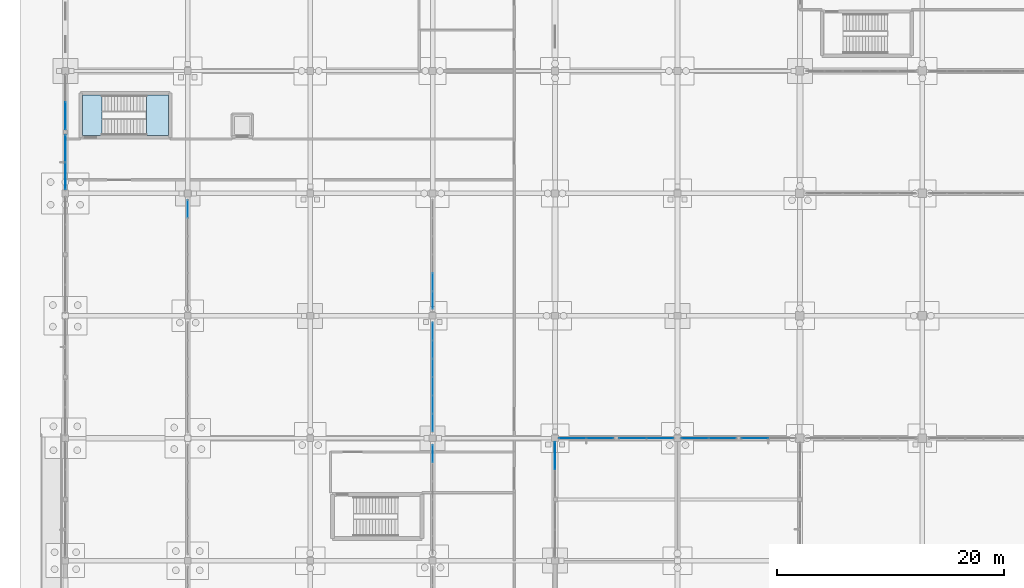
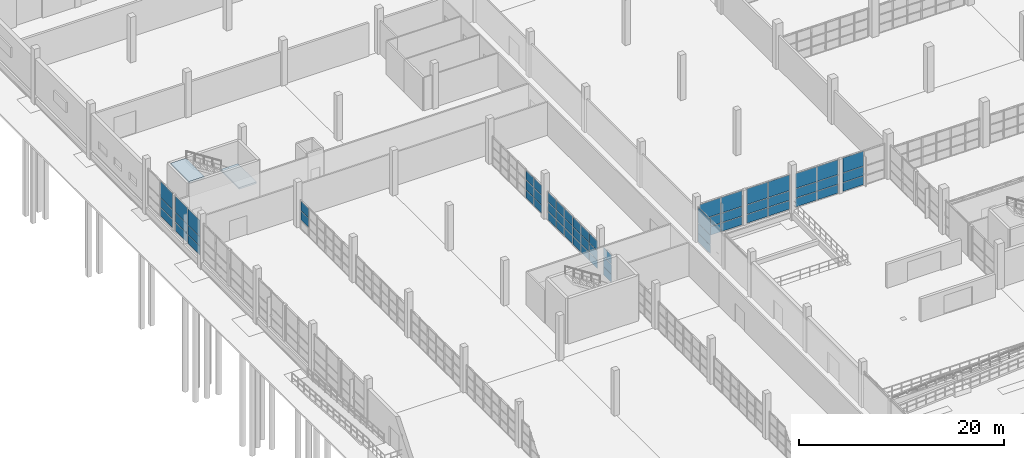
# One storey, part 88 of 138: 62 plates, 2 slabs, 12 elements without a shape of their own.
"""IFC4 building model written with IfcOpenShell, lengths in metres."""

from ifc_helpers import new_model, si_unit, direction, frame, origin, origin_2d, place, context, subcontext, project, spatial, polyline, rectangle, outline, extrude, material, layer, layer_set, type_object, element, aggregate, save


model = new_model("IFC4")

# Units and contexts
model_context = context("Model", 3, precision=1e-05, world=origin(), true_north=direction((0.0, 1.0)))
body_context = subcontext(model_context, "Body", "Model", "MODEL_VIEW")
ifc_project = project(units=[si_unit("LENGTHUNIT", "METRE"), si_unit("AREAUNIT", "SQUARE_METRE"), si_unit("VOLUMEUNIT", "CUBIC_METRE"), si_unit("PLANEANGLEUNIT", "RADIAN"), si_unit("MASSUNIT", "GRAM", prefix="KILO")], contexts=[model_context])

# Site, building, storey
site_placement = place(None, origin())
site = spatial("IfcSite", under=ifc_project, at=site_placement, CompositionType="ELEMENT")
building_placement = place(site_placement, origin())
building = spatial("IfcBuilding", under=site, at=building_placement, Name="Zwinboog Wholesale Market", CompositionType="ELEMENT")
storey_placement = place(building_placement, origin())
storey = spatial("IfcBuildingStorey", under=building, at=storey_placement, Name="L00", CompositionType="ELEMENT", Elevation=0.0)

# Curtain wall, plates
ifc_material_1 = material(Name="Aluminium thermally broken curtain wall", Category="aluminium")
curtain_wall_type_1 = type_object("IfcCurtainWallType", Name="CWT-HALL-24", PredefinedType="USERDEFINED", material=ifc_material_1)
curtain_wall_1_placement = place(storey_placement, origin())
curtain_wall_1 = element("IfcCurtainWall", 1, at=curtain_wall_1_placement, inside=storey, type_object=curtain_wall_type_1, Name="CW-03 (CW-L00-015)", ObjectType="UNITIZED_CURTAIN_WALL", PredefinedType="USERDEFINED")
ifc_material_2 = material(Name="Double low-e insulated glazing", Category="glass")
ifc_layer_1 = layer(ifc_material_2, 0.031982421875)
ifc_layer_set_1 = layer_set([ifc_layer_1], Name="Double low-e insulated glazing")
plate_type_1 = type_object("IfcPlateType", Name="CWP-IGU-32", PredefinedType="CURTAIN_PANEL", material=ifc_layer_set_1)
plate_1_placement = place(storey_placement, frame((0.0, 87.9375, 0.06494140625), z_axis=(0.0, 0.0, 1.0), x_axis=(0.0, 1.0, 0.0)))
plate_1 = element("IfcPlate", 2, at=plate_1_placement, type_object=plate_type_1, Name="CW-03 panel 1.1", PredefinedType="CURTAIN_PANEL", context=body_context, shape_type="SweptSolid", body=[
    extrude(rectangle(XDim=2.35498046875, YDim=0.031982421875, at=origin_2d()), origin(), (0.0, 0.0, 1.0), 1.00244140625),
])
plate_2_placement = place(storey_placement, frame((0.0, 87.9375, 1.132568359375), z_axis=(0.0, 0.0, 1.0), x_axis=(0.0, 1.0, 0.0)))
plate_2 = element("IfcPlate", 3, at=plate_2_placement, type_object=plate_type_1, Name="CW-03 panel 1.2", PredefinedType="CURTAIN_PANEL", context=body_context, shape_type="SweptSolid", body=[
    extrude(rectangle(XDim=2.35498046875, YDim=0.031982421875, at=origin_2d()), origin(), (0.0, 0.0, 1.0), 1.0849609375),
])
plate_3_placement = place(storey_placement, frame((0.0, 87.9375, 2.2822265625), z_axis=(0.0, 0.0, 1.0), x_axis=(0.0, 1.0, 0.0)))
plate_3 = element("IfcPlate", 4, at=plate_3_placement, type_object=plate_type_1, Name="CW-03 panel 1.3", PredefinedType="CURTAIN_PANEL", context=body_context, shape_type="SweptSolid", body=[
    extrude(rectangle(XDim=2.35498046875, YDim=0.031982421875, at=origin_2d()), origin(), (0.0, 0.0, 1.0), 1.902587890625),
])
plate_4_placement = place(storey_placement, frame((0.0, 90.357421875, 0.06494140625), z_axis=(0.0, 0.0, 1.0), x_axis=(0.0, 1.0, 0.0)))
plate_4 = element("IfcPlate", 5, at=plate_4_placement, type_object=plate_type_1, Name="CW-03 panel 2.1", PredefinedType="CURTAIN_PANEL", context=body_context, shape_type="SweptSolid", body=[
    extrude(rectangle(XDim=2.35498046875, YDim=0.031982421875, at=origin_2d()), origin(), (0.0, 0.0, 1.0), 1.00244140625),
])
plate_5_placement = place(storey_placement, frame((0.0, 90.357421875, 1.132568359375), z_axis=(0.0, 0.0, 1.0), x_axis=(0.0, 1.0, 0.0)))
plate_5 = element("IfcPlate", 6, at=plate_5_placement, type_object=plate_type_1, Name="CW-03 panel 2.2", PredefinedType="CURTAIN_PANEL", context=body_context, shape_type="SweptSolid", body=[
    extrude(rectangle(XDim=2.35498046875, YDim=0.031982421875, at=origin_2d()), origin(), (0.0, 0.0, 1.0), 1.0849609375),
])
plate_6_placement = place(storey_placement, frame((0.0, 90.357421875, 2.2822265625), z_axis=(0.0, 0.0, 1.0), x_axis=(0.0, 1.0, 0.0)))
plate_6 = element("IfcPlate", 7, at=plate_6_placement, type_object=plate_type_1, Name="CW-03 panel 2.3", PredefinedType="CURTAIN_PANEL", context=body_context, shape_type="SweptSolid", body=[
    extrude(rectangle(XDim=2.35498046875, YDim=0.031982421875, at=origin_2d()), origin(), (0.0, 0.0, 1.0), 1.902587890625),
])
aggregate(curtain_wall_1, [plate_1, plate_2, plate_3, plate_4, plate_5, plate_6])

curtain_wall_type_2 = type_object("IfcCurtainWallType", Name="CWT-GAL-16", PredefinedType="USERDEFINED", material=ifc_material_1)
curtain_wall_2_placement = place(storey_placement, origin())
curtain_wall_2 = element("IfcCurtainWall", 8, at=curtain_wall_2_placement, inside=storey, type_object=curtain_wall_type_2, Name="CW-04 (CW-L00-016)", ObjectType="UNITIZED_CURTAIN_WALL", PredefinedType="USERDEFINED")
plate_7_placement = place(storey_placement, frame((0.0, 93.2412109375, 0.06005859375), z_axis=(0.0, 0.0, 1.0), x_axis=(0.0, 1.0, 0.0)))
plate_7 = element("IfcPlate", 9, at=plate_7_placement, type_object=plate_type_1, Name="CW-04 panel 1.1", PredefinedType="CURTAIN_PANEL", context=body_context, shape_type="SweptSolid", body=[
    extrude(rectangle(XDim=2.362548828125, YDim=0.031982421875, at=origin_2d()), origin(), (0.0, 0.0, 1.0), 1.010009765625),
])
plate_8_placement = place(storey_placement, frame((0.0, 93.2412109375, 1.1298828125), z_axis=(0.0, 0.0, 1.0), x_axis=(0.0, 1.0, 0.0)))
plate_8 = element("IfcPlate", 10, at=plate_8_placement, type_object=plate_type_1, Name="CW-04 panel 1.2", PredefinedType="CURTAIN_PANEL", context=body_context, shape_type="SweptSolid", body=[
    extrude(rectangle(XDim=2.362548828125, YDim=0.031982421875, at=origin_2d()), origin(), (0.0, 0.0, 1.0), 1.090087890625),
])
plate_9_placement = place(storey_placement, frame((0.0, 93.2412109375, 2.2802734375), z_axis=(0.0, 0.0, 1.0), x_axis=(0.0, 1.0, 0.0)))
plate_9 = element("IfcPlate", 11, at=plate_9_placement, type_object=plate_type_1, Name="CW-04 panel 1.3", PredefinedType="CURTAIN_PANEL", context=body_context, shape_type="SweptSolid", body=[
    extrude(rectangle(XDim=2.362548828125, YDim=0.031982421875, at=origin_2d()), origin(), (0.0, 0.0, 1.0), 1.909912109375),
])
aggregate(curtain_wall_2, [plate_7, plate_8, plate_9])

curtain_wall_type_3 = type_object("IfcCurtainWallType", Name="CWT-STALL-20", PredefinedType="USERDEFINED", material=ifc_material_1)
curtain_wall_3_placement = place(storey_placement, origin())
curtain_wall_3 = element("IfcCurtainWall", 12, at=curtain_wall_3_placement, inside=storey, type_object=curtain_wall_type_3, Name="CW-02 (CW-L00-026)", ObjectType="STOREFRONT_GLAZING", PredefinedType="USERDEFINED")
plate_10_placement = place(storey_placement, frame((43.199951171875, 63.263671875, 0.06005859375), z_axis=(0.0, 0.0, 1.0), x_axis=(0.0, 1.0, 0.0)))
plate_10 = element("IfcPlate", 13, at=plate_10_placement, type_object=plate_type_1, Name="CW-02 panel 2.1", PredefinedType="CURTAIN_PANEL", context=body_context, shape_type="SweptSolid", body=[
    extrude(rectangle(XDim=2.362548828125, YDim=0.031982421875, at=origin_2d()), origin(), (0.0, 0.0, 1.0), 1.010009765625),
])
plate_11_placement = place(storey_placement, frame((43.199951171875, 63.263671875, 1.1298828125), z_axis=(0.0, 0.0, 1.0), x_axis=(0.0, 1.0, 0.0)))
plate_11 = element("IfcPlate", 14, at=plate_11_placement, type_object=plate_type_1, Name="CW-02 panel 2.2", PredefinedType="CURTAIN_PANEL", context=body_context, shape_type="SweptSolid", body=[
    extrude(rectangle(XDim=2.362548828125, YDim=0.031982421875, at=origin_2d()), origin(), (0.0, 0.0, 1.0), 1.090087890625),
])
plate_12_placement = place(storey_placement, frame((43.199951171875, 63.263671875, 2.280029296875), z_axis=(0.0, 0.0, 1.0), x_axis=(0.0, 1.0, 0.0)))
plate_12 = element("IfcPlate", 15, at=plate_12_placement, type_object=plate_type_1, Name="CW-02 panel 2.3", PredefinedType="CURTAIN_PANEL", context=body_context, shape_type="SweptSolid", body=[
    extrude(rectangle(XDim=2.362548828125, YDim=0.031982421875, at=origin_2d()), origin(), (0.0, 0.0, 1.0), 1.85791015625),
])
aggregate(curtain_wall_3, [plate_10, plate_11, plate_12])

curtain_wall_4_placement = place(storey_placement, origin())
curtain_wall_4 = element("IfcCurtainWall", 16, at=curtain_wall_4_placement, inside=storey, type_object=curtain_wall_type_1, Name="CW-03 (CW-L00-027)", ObjectType="UNITIZED_CURTAIN_WALL", PredefinedType="USERDEFINED")
plate_13_placement = place(storey_placement, frame((44.737548828125, 64.800048828125, 0.06494140625), z_axis=(0.0, 0.0, 1.0), x_axis=(1.0, 0.0, 0.0)))
plate_13 = element("IfcPlate", 17, at=plate_13_placement, type_object=plate_type_1, Name="CW-03 panel 1.1", PredefinedType="CURTAIN_PANEL", context=body_context, shape_type="SweptSolid", body=[
    extrude(rectangle(XDim=2.35498046875, YDim=0.031982421875, at=origin_2d()), origin(), (0.0, 0.0, 1.0), 1.00244140625),
])
plate_14_placement = place(storey_placement, frame((44.737548828125, 64.800048828125, 1.132568359375), z_axis=(0.0, 0.0, 1.0), x_axis=(1.0, 0.0, 0.0)))
plate_14 = element("IfcPlate", 18, at=plate_14_placement, type_object=plate_type_1, Name="CW-03 panel 1.2", PredefinedType="CURTAIN_PANEL", context=body_context, shape_type="SweptSolid", body=[
    extrude(rectangle(XDim=2.35498046875, YDim=0.031982421875, at=origin_2d()), origin(), (0.0, 0.0, 1.0), 1.0849609375),
])
plate_15_placement = place(storey_placement, frame((44.737548828125, 64.800048828125, 2.282470703125), z_axis=(0.0, 0.0, 1.0), x_axis=(1.0, 0.0, 0.0)))
plate_15 = element("IfcPlate", 19, at=plate_15_placement, type_object=plate_type_1, Name="CW-03 panel 1.3", PredefinedType="CURTAIN_PANEL", context=body_context, shape_type="SweptSolid", body=[
    extrude(rectangle(XDim=2.35498046875, YDim=0.031982421875, at=origin_2d()), origin(), (0.0, 0.0, 1.0), 1.8505859375),
])
plate_16_placement = place(storey_placement, frame((47.157470703125, 64.800048828125, 0.06494140625), z_axis=(0.0, 0.0, 1.0), x_axis=(1.0, 0.0, 0.0)))
plate_16 = element("IfcPlate", 20, at=plate_16_placement, type_object=plate_type_1, Name="CW-03 panel 2.1", PredefinedType="CURTAIN_PANEL", context=body_context, shape_type="SweptSolid", body=[
    extrude(rectangle(XDim=2.35498046875, YDim=0.031982421875, at=origin_2d()), origin(), (0.0, 0.0, 1.0), 1.00244140625),
])
plate_17_placement = place(storey_placement, frame((47.157470703125, 64.800048828125, 1.132568359375), z_axis=(0.0, 0.0, 1.0), x_axis=(1.0, 0.0, 0.0)))
plate_17 = element("IfcPlate", 21, at=plate_17_placement, type_object=plate_type_1, Name="CW-03 panel 2.2", PredefinedType="CURTAIN_PANEL", context=body_context, shape_type="SweptSolid", body=[
    extrude(rectangle(XDim=2.35498046875, YDim=0.031982421875, at=origin_2d()), origin(), (0.0, 0.0, 1.0), 1.0849609375),
])
plate_18_placement = place(storey_placement, frame((47.157470703125, 64.800048828125, 2.282470703125), z_axis=(0.0, 0.0, 1.0), x_axis=(1.0, 0.0, 0.0)))
plate_18 = element("IfcPlate", 22, at=plate_18_placement, type_object=plate_type_1, Name="CW-03 panel 2.3", PredefinedType="CURTAIN_PANEL", context=body_context, shape_type="SweptSolid", body=[
    extrude(rectangle(XDim=2.35498046875, YDim=0.031982421875, at=origin_2d()), origin(), (0.0, 0.0, 1.0), 1.8505859375),
])
aggregate(curtain_wall_4, [plate_13, plate_14, plate_15, plate_16, plate_17, plate_18])

curtain_wall_5_placement = place(storey_placement, origin())
curtain_wall_5 = element("IfcCurtainWall", 23, at=curtain_wall_5_placement, inside=storey, type_object=curtain_wall_type_2, Name="CW-04 (CW-L00-028)", ObjectType="UNITIZED_CURTAIN_WALL", PredefinedType="USERDEFINED")
plate_19_placement = place(storey_placement, frame((50.041259765625, 64.800048828125, 0.06005859375), z_axis=(0.0, 0.0, 1.0), x_axis=(1.0, 0.0, 0.0)))
plate_19 = element("IfcPlate", 24, at=plate_19_placement, type_object=plate_type_1, Name="CW-04 panel 1.1", PredefinedType="CURTAIN_PANEL", context=body_context, shape_type="SweptSolid", body=[
    extrude(rectangle(XDim=2.362548828125, YDim=0.031982421875, at=origin_2d()), origin(), (0.0, 0.0, 1.0), 1.010009765625),
])
plate_20_placement = place(storey_placement, frame((50.041259765625, 64.800048828125, 1.1298828125), z_axis=(0.0, 0.0, 1.0), x_axis=(1.0, 0.0, 0.0)))
plate_20 = element("IfcPlate", 25, at=plate_20_placement, type_object=plate_type_1, Name="CW-04 panel 1.2", PredefinedType="CURTAIN_PANEL", context=body_context, shape_type="SweptSolid", body=[
    extrude(rectangle(XDim=2.362548828125, YDim=0.031982421875, at=origin_2d()), origin(), (0.0, 0.0, 1.0), 1.090087890625),
])
plate_21_placement = place(storey_placement, frame((50.041259765625, 64.800048828125, 2.280029296875), z_axis=(0.0, 0.0, 1.0), x_axis=(1.0, 0.0, 0.0)))
plate_21 = element("IfcPlate", 26, at=plate_21_placement, type_object=plate_type_1, Name="CW-04 panel 1.3", PredefinedType="CURTAIN_PANEL", context=body_context, shape_type="SweptSolid", body=[
    extrude(rectangle(XDim=2.362548828125, YDim=0.031982421875, at=origin_2d()), origin(), (0.0, 0.0, 1.0), 1.85791015625),
])
plate_22_placement = place(storey_placement, frame((52.4638671875, 64.800048828125, 0.06005859375), z_axis=(0.0, 0.0, 1.0), x_axis=(1.0, 0.0, 0.0)))
plate_22 = element("IfcPlate", 27, at=plate_22_placement, type_object=plate_type_1, Name="CW-04 panel 2.1", PredefinedType="CURTAIN_PANEL", context=body_context, shape_type="SweptSolid", body=[
    extrude(rectangle(XDim=2.362548828125, YDim=0.031982421875, at=origin_2d()), origin(), (0.0, 0.0, 1.0), 1.010009765625),
])
plate_23_placement = place(storey_placement, frame((52.4638671875, 64.800048828125, 1.1298828125), z_axis=(0.0, 0.0, 1.0), x_axis=(1.0, 0.0, 0.0)))
plate_23 = element("IfcPlate", 28, at=plate_23_placement, type_object=plate_type_1, Name="CW-04 panel 2.2", PredefinedType="CURTAIN_PANEL", context=body_context, shape_type="SweptSolid", body=[
    extrude(rectangle(XDim=2.362548828125, YDim=0.031982421875, at=origin_2d()), origin(), (0.0, 0.0, 1.0), 1.090087890625),
])
plate_24_placement = place(storey_placement, frame((52.4638671875, 64.800048828125, 2.280029296875), z_axis=(0.0, 0.0, 1.0), x_axis=(1.0, 0.0, 0.0)))
plate_24 = element("IfcPlate", 29, at=plate_24_placement, type_object=plate_type_1, Name="CW-04 panel 2.3", PredefinedType="CURTAIN_PANEL", context=body_context, shape_type="SweptSolid", body=[
    extrude(rectangle(XDim=2.362548828125, YDim=0.031982421875, at=origin_2d()), origin(), (0.0, 0.0, 1.0), 1.85791015625),
])
aggregate(curtain_wall_5, [plate_19, plate_20, plate_21, plate_22, plate_23, plate_24])

curtain_wall_type_4 = type_object("IfcCurtainWallType", Name="CWT-CAFE-22", PredefinedType="USERDEFINED", material=ifc_material_1)
curtain_wall_6_placement = place(storey_placement, origin())
curtain_wall_6 = element("IfcCurtainWall", 30, at=curtain_wall_6_placement, inside=storey, type_object=curtain_wall_type_4, Name="CW-05 (CW-L00-029)", ObjectType="STOREFRONT_GLAZING", PredefinedType="USERDEFINED")
plate_25_placement = place(storey_placement, frame((55.53759765625, 64.800048828125, 0.06494140625), z_axis=(0.0, 0.0, 1.0), x_axis=(1.0, 0.0, 0.0)))
plate_25 = element("IfcPlate", 31, at=plate_25_placement, type_object=plate_type_1, Name="CW-05 panel 1.1", PredefinedType="CURTAIN_PANEL", context=body_context, shape_type="SweptSolid", body=[
    extrude(rectangle(XDim=2.35498046875, YDim=0.031982421875, at=origin_2d()), origin(), (0.0, 0.0, 1.0), 1.00244140625),
])
plate_26_placement = place(storey_placement, frame((55.53759765625, 64.800048828125, 1.132568359375), z_axis=(0.0, 0.0, 1.0), x_axis=(1.0, 0.0, 0.0)))
plate_26 = element("IfcPlate", 32, at=plate_26_placement, type_object=plate_type_1, Name="CW-05 panel 1.2", PredefinedType="CURTAIN_PANEL", context=body_context, shape_type="SweptSolid", body=[
    extrude(rectangle(XDim=2.35498046875, YDim=0.031982421875, at=origin_2d()), origin(), (0.0, 0.0, 1.0), 1.0849609375),
])
plate_27_placement = place(storey_placement, frame((55.53759765625, 64.800048828125, 2.282470703125), z_axis=(0.0, 0.0, 1.0), x_axis=(1.0, 0.0, 0.0)))
plate_27 = element("IfcPlate", 33, at=plate_27_placement, type_object=plate_type_1, Name="CW-05 panel 1.3", PredefinedType="CURTAIN_PANEL", context=body_context, shape_type="SweptSolid", body=[
    extrude(rectangle(XDim=2.35498046875, YDim=0.031982421875, at=origin_2d()), origin(), (0.0, 0.0, 1.0), 1.75048828125),
])
plate_28_placement = place(storey_placement, frame((57.95751953125, 64.800048828125, 0.06494140625), z_axis=(0.0, 0.0, 1.0), x_axis=(1.0, 0.0, 0.0)))
plate_28 = element("IfcPlate", 34, at=plate_28_placement, type_object=plate_type_1, Name="CW-05 panel 2.1", PredefinedType="CURTAIN_PANEL", context=body_context, shape_type="SweptSolid", body=[
    extrude(rectangle(XDim=2.35498046875, YDim=0.031982421875, at=origin_2d()), origin(), (0.0, 0.0, 1.0), 1.00244140625),
])
plate_29_placement = place(storey_placement, frame((57.95751953125, 64.800048828125, 1.132568359375), z_axis=(0.0, 0.0, 1.0), x_axis=(1.0, 0.0, 0.0)))
plate_29 = element("IfcPlate", 35, at=plate_29_placement, type_object=plate_type_1, Name="CW-05 panel 2.2", PredefinedType="CURTAIN_PANEL", context=body_context, shape_type="SweptSolid", body=[
    extrude(rectangle(XDim=2.35498046875, YDim=0.031982421875, at=origin_2d()), origin(), (0.0, 0.0, 1.0), 1.0849609375),
])
plate_30_placement = place(storey_placement, frame((57.95751953125, 64.800048828125, 2.282470703125), z_axis=(0.0, 0.0, 1.0), x_axis=(1.0, 0.0, 0.0)))
plate_30 = element("IfcPlate", 36, at=plate_30_placement, type_object=plate_type_1, Name="CW-05 panel 2.3", PredefinedType="CURTAIN_PANEL", context=body_context, shape_type="SweptSolid", body=[
    extrude(rectangle(XDim=2.35498046875, YDim=0.031982421875, at=origin_2d()), origin(), (0.0, 0.0, 1.0), 1.75048828125),
])
aggregate(curtain_wall_6, [plate_25, plate_26, plate_27, plate_28, plate_29, plate_30])

curtain_wall_type_5 = type_object("IfcCurtainWallType", Name="CWT-OFF-15", PredefinedType="USERDEFINED", material=ifc_material_1)
curtain_wall_7_placement = place(storey_placement, origin())
curtain_wall_7 = element("IfcCurtainWall", 37, at=curtain_wall_7_placement, inside=storey, type_object=curtain_wall_type_5, Name="CW-06 (CW-L00-030)", ObjectType="UNITIZED_CURTAIN_WALL", PredefinedType="USERDEFINED")
plate_31_placement = place(storey_placement, frame((60.822509765625, 64.800048828125, 0.06005859375), z_axis=(0.0, 0.0, 1.0), x_axis=(1.0, 0.0, 0.0)))
plate_31 = element("IfcPlate", 38, at=plate_31_placement, type_object=plate_type_1, Name="CW-06 panel 1.1", PredefinedType="CURTAIN_PANEL", context=body_context, shape_type="SweptSolid", body=[
    extrude(rectangle(XDim=2.324951171875, YDim=0.031982421875, at=origin_2d()), origin(), (0.0, 0.0, 1.0), 1.010009765625),
])
plate_32_placement = place(storey_placement, frame((60.822509765625, 64.800048828125, 1.1298828125), z_axis=(0.0, 0.0, 1.0), x_axis=(1.0, 0.0, 0.0)))
plate_32 = element("IfcPlate", 39, at=plate_32_placement, type_object=plate_type_1, Name="CW-06 panel 1.2", PredefinedType="CURTAIN_PANEL", context=body_context, shape_type="SweptSolid", body=[
    extrude(rectangle(XDim=2.324951171875, YDim=0.031982421875, at=origin_2d()), origin(), (0.0, 0.0, 1.0), 1.090087890625),
])
plate_33_placement = place(storey_placement, frame((60.822509765625, 64.800048828125, 2.27978515625), z_axis=(0.0, 0.0, 1.0), x_axis=(1.0, 0.0, 0.0)))
plate_33 = element("IfcPlate", 40, at=plate_33_placement, type_object=plate_type_1, Name="CW-06 panel 1.3", PredefinedType="CURTAIN_PANEL", context=body_context, shape_type="SweptSolid", body=[
    extrude(rectangle(XDim=2.324951171875, YDim=0.031982421875, at=origin_2d()), origin(), (0.0, 0.0, 1.0), 1.758056640625),
])
aggregate(curtain_wall_7, [plate_31, plate_32, plate_33])

curtain_wall_type_6 = type_object("IfcCurtainWallType", Name="CWT-INT-STALL", PredefinedType="USERDEFINED", material=ifc_material_1)
curtain_wall_8_placement = place(storey_placement, origin())
curtain_wall_8 = element("IfcCurtainWall", 41, at=curtain_wall_8_placement, inside=storey, type_object=curtain_wall_type_6, Name="CW-07 (CW-STL-216)", ObjectType="STOREFRONT_GLAZING", PredefinedType="USERDEFINED")
ifc_material_3 = material(Name="Tempered laminated market stall glazing", Category="glass")
ifc_layer_2 = layer(ifc_material_3, 0.01611328125)
ifc_layer_set_2 = layer_set([ifc_layer_2], Name="Tempered laminated market stall glazing")
plate_type_2 = type_object("IfcPlateType", Name="CWP-INT-16", PredefinedType="CURTAIN_PANEL", material=ifc_layer_set_2)
plate_34_placement = place(storey_placement, frame((10.800048828125, 85.026611328125, 1.080078125), z_axis=(0.0, 0.0, 1.0), x_axis=(0.0, 1.0, 0.0)))
plate_34 = element("IfcPlate", 42, at=plate_34_placement, type_object=plate_type_2, Name="CW-07 panel 6.2", PredefinedType="CURTAIN_PANEL", context=body_context, shape_type="SweptSolid", body=[
    extrude(rectangle(XDim=1.526611328125, YDim=0.01611328125, at=origin_2d()), origin(), (0.0, 0.0, 1.0), 1.090087890625),
])
plate_35_placement = place(storey_placement, frame((10.800048828125, 85.026611328125, 2.22998046875), z_axis=(0.0, 0.0, 1.0), x_axis=(0.0, 1.0, 0.0)))
plate_35 = element("IfcPlate", 43, at=plate_35_placement, type_object=plate_type_2, Name="CW-07 panel 6.3", PredefinedType="CURTAIN_PANEL", context=body_context, shape_type="SweptSolid", body=[
    extrude(rectangle(XDim=1.526611328125, YDim=0.01611328125, at=origin_2d()), origin(), (0.0, 0.0, 1.0), 1.110107421875),
])
aggregate(curtain_wall_8, [plate_34, plate_35])

curtain_wall_9_placement = place(storey_placement, origin())
curtain_wall_9 = element("IfcCurtainWall", 44, at=curtain_wall_9_placement, inside=storey, type_object=curtain_wall_type_6, Name="CW-07 (CW-STL-222)", ObjectType="STOREFRONT_GLAZING", PredefinedType="USERDEFINED")
plate_36_placement = place(storey_placement, frame((32.39990234375, 63.4267578125, 0.06005859375), z_axis=(0.0, 0.0, 1.0), x_axis=(0.0, 1.0, 0.0)))
plate_36 = element("IfcPlate", 45, at=plate_36_placement, type_object=plate_type_2, Name="CW-07 panel 6.1", PredefinedType="CURTAIN_PANEL", context=body_context, shape_type="SweptSolid", body=[
    extrude(rectangle(XDim=1.526611328125, YDim=0.01611328125, at=origin_2d()), origin(), (0.0, 0.0, 1.0), 0.9599609375),
])
plate_37_placement = place(storey_placement, frame((32.39990234375, 63.4267578125, 1.080078125), z_axis=(0.0, 0.0, 1.0), x_axis=(0.0, 1.0, 0.0)))
plate_37 = element("IfcPlate", 46, at=plate_37_placement, type_object=plate_type_2, Name="CW-07 panel 6.2", PredefinedType="CURTAIN_PANEL", context=body_context, shape_type="SweptSolid", body=[
    extrude(rectangle(XDim=1.526611328125, YDim=0.01611328125, at=origin_2d()), origin(), (0.0, 0.0, 1.0), 1.090087890625),
])
plate_38_placement = place(storey_placement, frame((32.39990234375, 63.4267578125, 2.22998046875), z_axis=(0.0, 0.0, 1.0), x_axis=(0.0, 1.0, 0.0)))
plate_38 = element("IfcPlate", 47, at=plate_38_placement, type_object=plate_type_2, Name="CW-07 panel 6.3", PredefinedType="CURTAIN_PANEL", context=body_context, shape_type="SweptSolid", body=[
    extrude(rectangle(XDim=1.526611328125, YDim=0.01611328125, at=origin_2d()), origin(), (0.0, 0.0, 1.0), 1.110107421875),
])
aggregate(curtain_wall_9, [plate_36, plate_37, plate_38])

curtain_wall_10_placement = place(storey_placement, origin())
curtain_wall_10 = element("IfcCurtainWall", 48, at=curtain_wall_10_placement, inside=storey, type_object=curtain_wall_type_6, Name="CW-07 (CW-STL-223)", ObjectType="STOREFRONT_GLAZING", PredefinedType="USERDEFINED")
plate_39_placement = place(storey_placement, frame((32.39990234375, 66.17333984375, 0.06005859375), z_axis=(0.0, 0.0, 1.0), x_axis=(0.0, 1.0, 0.0)))
plate_39 = element("IfcPlate", 49, at=plate_39_placement, type_object=plate_type_2, Name="CW-07 panel 1.1", PredefinedType="CURTAIN_PANEL", context=body_context, shape_type="SweptSolid", body=[
    extrude(rectangle(XDim=1.526611328125, YDim=0.01611328125, at=origin_2d()), origin(), (0.0, 0.0, 1.0), 0.9599609375),
])
plate_40_placement = place(storey_placement, frame((32.39990234375, 66.17333984375, 1.080078125), z_axis=(0.0, 0.0, 1.0), x_axis=(0.0, 1.0, 0.0)))
plate_40 = element("IfcPlate", 50, at=plate_40_placement, type_object=plate_type_2, Name="CW-07 panel 1.2", PredefinedType="CURTAIN_PANEL", context=body_context, shape_type="SweptSolid", body=[
    extrude(rectangle(XDim=1.526611328125, YDim=0.01611328125, at=origin_2d()), origin(), (0.0, 0.0, 1.0), 1.090087890625),
])
plate_41_placement = place(storey_placement, frame((32.39990234375, 66.17333984375, 2.22998046875), z_axis=(0.0, 0.0, 1.0), x_axis=(0.0, 1.0, 0.0)))
plate_41 = element("IfcPlate", 51, at=plate_41_placement, type_object=plate_type_2, Name="CW-07 panel 1.3", PredefinedType="CURTAIN_PANEL", context=body_context, shape_type="SweptSolid", body=[
    extrude(rectangle(XDim=1.526611328125, YDim=0.01611328125, at=origin_2d()), origin(), (0.0, 0.0, 1.0), 1.110107421875),
])
plate_42_placement = place(storey_placement, frame((32.39990234375, 67.77490234375, 0.06005859375), z_axis=(0.0, 0.0, 1.0), x_axis=(0.0, 1.0, 0.0)))
plate_42 = element("IfcPlate", 52, at=plate_42_placement, type_object=plate_type_2, Name="CW-07 panel 2.1", PredefinedType="CURTAIN_PANEL", context=body_context, shape_type="SweptSolid", body=[
    extrude(rectangle(XDim=1.556640625, YDim=0.01611328125, at=origin_2d()), origin(), (0.0, 0.0, 1.0), 0.9599609375),
])
plate_43_placement = place(storey_placement, frame((32.39990234375, 67.77490234375, 1.080078125), z_axis=(0.0, 0.0, 1.0), x_axis=(0.0, 1.0, 0.0)))
plate_43 = element("IfcPlate", 53, at=plate_43_placement, type_object=plate_type_2, Name="CW-07 panel 2.2", PredefinedType="CURTAIN_PANEL", context=body_context, shape_type="SweptSolid", body=[
    extrude(rectangle(XDim=1.556640625, YDim=0.01611328125, at=origin_2d()), origin(), (0.0, 0.0, 1.0), 1.090087890625),
])
plate_44_placement = place(storey_placement, frame((32.39990234375, 67.77490234375, 2.22998046875), z_axis=(0.0, 0.0, 1.0), x_axis=(0.0, 1.0, 0.0)))
plate_44 = element("IfcPlate", 54, at=plate_44_placement, type_object=plate_type_2, Name="CW-07 panel 2.3", PredefinedType="CURTAIN_PANEL", context=body_context, shape_type="SweptSolid", body=[
    extrude(rectangle(XDim=1.556640625, YDim=0.01611328125, at=origin_2d()), origin(), (0.0, 0.0, 1.0), 1.110107421875),
])
plate_45_placement = place(storey_placement, frame((32.39990234375, 69.3916015625, 0.06005859375), z_axis=(0.0, 0.0, 1.0), x_axis=(0.0, 1.0, 0.0)))
plate_45 = element("IfcPlate", 55, at=plate_45_placement, type_object=plate_type_2, Name="CW-07 panel 3.1", PredefinedType="CURTAIN_PANEL", context=body_context, shape_type="SweptSolid", body=[
    extrude(rectangle(XDim=1.556640625, YDim=0.01611328125, at=origin_2d()), origin(), (0.0, 0.0, 1.0), 0.9599609375),
])
plate_46_placement = place(storey_placement, frame((32.39990234375, 69.3916015625, 1.080078125), z_axis=(0.0, 0.0, 1.0), x_axis=(0.0, 1.0, 0.0)))
plate_46 = element("IfcPlate", 56, at=plate_46_placement, type_object=plate_type_2, Name="CW-07 panel 3.2", PredefinedType="CURTAIN_PANEL", context=body_context, shape_type="SweptSolid", body=[
    extrude(rectangle(XDim=1.556640625, YDim=0.01611328125, at=origin_2d()), origin(), (0.0, 0.0, 1.0), 1.090087890625),
])
plate_47_placement = place(storey_placement, frame((32.39990234375, 69.3916015625, 2.22998046875), z_axis=(0.0, 0.0, 1.0), x_axis=(0.0, 1.0, 0.0)))
plate_47 = element("IfcPlate", 57, at=plate_47_placement, type_object=plate_type_2, Name="CW-07 panel 3.3", PredefinedType="CURTAIN_PANEL", context=body_context, shape_type="SweptSolid", body=[
    extrude(rectangle(XDim=1.556640625, YDim=0.01611328125, at=origin_2d()), origin(), (0.0, 0.0, 1.0), 1.110107421875),
])
plate_48_placement = place(storey_placement, frame((32.39990234375, 71.00830078125, 0.06005859375), z_axis=(0.0, 0.0, 1.0), x_axis=(0.0, 1.0, 0.0)))
plate_48 = element("IfcPlate", 58, at=plate_48_placement, type_object=plate_type_2, Name="CW-07 panel 4.1", PredefinedType="CURTAIN_PANEL", context=body_context, shape_type="SweptSolid", body=[
    extrude(rectangle(XDim=1.556640625, YDim=0.01611328125, at=origin_2d()), origin(), (0.0, 0.0, 1.0), 0.9599609375),
])
plate_49_placement = place(storey_placement, frame((32.39990234375, 71.00830078125, 1.080078125), z_axis=(0.0, 0.0, 1.0), x_axis=(0.0, 1.0, 0.0)))
plate_49 = element("IfcPlate", 59, at=plate_49_placement, type_object=plate_type_2, Name="CW-07 panel 4.2", PredefinedType="CURTAIN_PANEL", context=body_context, shape_type="SweptSolid", body=[
    extrude(rectangle(XDim=1.556640625, YDim=0.01611328125, at=origin_2d()), origin(), (0.0, 0.0, 1.0), 1.090087890625),
])
plate_50_placement = place(storey_placement, frame((32.39990234375, 71.00830078125, 2.22998046875), z_axis=(0.0, 0.0, 1.0), x_axis=(0.0, 1.0, 0.0)))
plate_50 = element("IfcPlate", 60, at=plate_50_placement, type_object=plate_type_2, Name="CW-07 panel 4.3", PredefinedType="CURTAIN_PANEL", context=body_context, shape_type="SweptSolid", body=[
    extrude(rectangle(XDim=1.556640625, YDim=0.01611328125, at=origin_2d()), origin(), (0.0, 0.0, 1.0), 1.110107421875),
])
plate_51_placement = place(storey_placement, frame((32.39990234375, 72.625, 0.06005859375), z_axis=(0.0, 0.0, 1.0), x_axis=(0.0, 1.0, 0.0)))
plate_51 = element("IfcPlate", 61, at=plate_51_placement, type_object=plate_type_2, Name="CW-07 panel 5.1", PredefinedType="CURTAIN_PANEL", context=body_context, shape_type="SweptSolid", body=[
    extrude(rectangle(XDim=1.556640625, YDim=0.01611328125, at=origin_2d()), origin(), (0.0, 0.0, 1.0), 0.9599609375),
])
plate_52_placement = place(storey_placement, frame((32.39990234375, 72.625, 1.080078125), z_axis=(0.0, 0.0, 1.0), x_axis=(0.0, 1.0, 0.0)))
plate_52 = element("IfcPlate", 62, at=plate_52_placement, type_object=plate_type_2, Name="CW-07 panel 5.2", PredefinedType="CURTAIN_PANEL", context=body_context, shape_type="SweptSolid", body=[
    extrude(rectangle(XDim=1.556640625, YDim=0.01611328125, at=origin_2d()), origin(), (0.0, 0.0, 1.0), 1.090087890625),
])
plate_53_placement = place(storey_placement, frame((32.39990234375, 72.625, 2.22998046875), z_axis=(0.0, 0.0, 1.0), x_axis=(0.0, 1.0, 0.0)))
plate_53 = element("IfcPlate", 63, at=plate_53_placement, type_object=plate_type_2, Name="CW-07 panel 5.3", PredefinedType="CURTAIN_PANEL", context=body_context, shape_type="SweptSolid", body=[
    extrude(rectangle(XDim=1.556640625, YDim=0.01611328125, at=origin_2d()), origin(), (0.0, 0.0, 1.0), 1.110107421875),
])
plate_54_placement = place(storey_placement, frame((32.39990234375, 74.2265625, 0.06005859375), z_axis=(0.0, 0.0, 1.0), x_axis=(0.0, 1.0, 0.0)))
plate_54 = element("IfcPlate", 64, at=plate_54_placement, type_object=plate_type_2, Name="CW-07 panel 6.1", PredefinedType="CURTAIN_PANEL", context=body_context, shape_type="SweptSolid", body=[
    extrude(rectangle(XDim=1.526611328125, YDim=0.01611328125, at=origin_2d()), origin(), (0.0, 0.0, 1.0), 0.9599609375),
])
plate_55_placement = place(storey_placement, frame((32.39990234375, 74.2265625, 1.080078125), z_axis=(0.0, 0.0, 1.0), x_axis=(0.0, 1.0, 0.0)))
plate_55 = element("IfcPlate", 65, at=plate_55_placement, type_object=plate_type_2, Name="CW-07 panel 6.2", PredefinedType="CURTAIN_PANEL", context=body_context, shape_type="SweptSolid", body=[
    extrude(rectangle(XDim=1.526611328125, YDim=0.01611328125, at=origin_2d()), origin(), (0.0, 0.0, 1.0), 1.090087890625),
])
plate_56_placement = place(storey_placement, frame((32.39990234375, 74.2265625, 2.22998046875), z_axis=(0.0, 0.0, 1.0), x_axis=(0.0, 1.0, 0.0)))
plate_56 = element("IfcPlate", 66, at=plate_56_placement, type_object=plate_type_2, Name="CW-07 panel 6.3", PredefinedType="CURTAIN_PANEL", context=body_context, shape_type="SweptSolid", body=[
    extrude(rectangle(XDim=1.526611328125, YDim=0.01611328125, at=origin_2d()), origin(), (0.0, 0.0, 1.0), 1.110107421875),
])
aggregate(curtain_wall_10, [plate_39, plate_40, plate_41, plate_42, plate_43, plate_44, plate_45, plate_46, plate_47, plate_48, plate_49, plate_50, plate_51, plate_52, plate_53, plate_54, plate_55, plate_56])

curtain_wall_11_placement = place(storey_placement, origin())
curtain_wall_11 = element("IfcCurtainWall", 67, at=curtain_wall_11_placement, inside=storey, type_object=curtain_wall_type_6, Name="CW-07 (CW-STL-224)", ObjectType="STOREFRONT_GLAZING", PredefinedType="USERDEFINED")
plate_57_placement = place(storey_placement, frame((32.39990234375, 76.973388671875, 0.06005859375), z_axis=(0.0, 0.0, 1.0), x_axis=(0.0, 1.0, 0.0)))
plate_57 = element("IfcPlate", 68, at=plate_57_placement, type_object=plate_type_2, Name="CW-07 panel 1.1", PredefinedType="CURTAIN_PANEL", context=body_context, shape_type="SweptSolid", body=[
    extrude(rectangle(XDim=1.526611328125, YDim=0.01611328125, at=origin_2d()), origin(), (0.0, 0.0, 1.0), 0.9599609375),
])
plate_58_placement = place(storey_placement, frame((32.39990234375, 76.973388671875, 1.080078125), z_axis=(0.0, 0.0, 1.0), x_axis=(0.0, 1.0, 0.0)))
plate_58 = element("IfcPlate", 69, at=plate_58_placement, type_object=plate_type_2, Name="CW-07 panel 1.2", PredefinedType="CURTAIN_PANEL", context=body_context, shape_type="SweptSolid", body=[
    extrude(rectangle(XDim=1.526611328125, YDim=0.01611328125, at=origin_2d()), origin(), (0.0, 0.0, 1.0), 1.090087890625),
])
plate_59_placement = place(storey_placement, frame((32.39990234375, 76.973388671875, 2.22998046875), z_axis=(0.0, 0.0, 1.0), x_axis=(0.0, 1.0, 0.0)))
plate_59 = element("IfcPlate", 70, at=plate_59_placement, type_object=plate_type_2, Name="CW-07 panel 1.3", PredefinedType="CURTAIN_PANEL", context=body_context, shape_type="SweptSolid", body=[
    extrude(rectangle(XDim=1.526611328125, YDim=0.01611328125, at=origin_2d()), origin(), (0.0, 0.0, 1.0), 1.110107421875),
])
plate_60_placement = place(storey_placement, frame((32.39990234375, 78.574951171875, 0.06005859375), z_axis=(0.0, 0.0, 1.0), x_axis=(0.0, 1.0, 0.0)))
plate_60 = element("IfcPlate", 71, at=plate_60_placement, type_object=plate_type_2, Name="CW-07 panel 2.1", PredefinedType="CURTAIN_PANEL", context=body_context, shape_type="SweptSolid", body=[
    extrude(rectangle(XDim=1.556640625, YDim=0.01611328125, at=origin_2d()), origin(), (0.0, 0.0, 1.0), 0.9599609375),
])
plate_61_placement = place(storey_placement, frame((32.39990234375, 78.574951171875, 1.080078125), z_axis=(0.0, 0.0, 1.0), x_axis=(0.0, 1.0, 0.0)))
plate_61 = element("IfcPlate", 72, at=plate_61_placement, type_object=plate_type_2, Name="CW-07 panel 2.2", PredefinedType="CURTAIN_PANEL", context=body_context, shape_type="SweptSolid", body=[
    extrude(rectangle(XDim=1.556640625, YDim=0.01611328125, at=origin_2d()), origin(), (0.0, 0.0, 1.0), 1.090087890625),
])
plate_62_placement = place(storey_placement, frame((32.39990234375, 78.574951171875, 2.22998046875), z_axis=(0.0, 0.0, 1.0), x_axis=(0.0, 1.0, 0.0)))
plate_62 = element("IfcPlate", 73, at=plate_62_placement, type_object=plate_type_2, Name="CW-07 panel 2.3", PredefinedType="CURTAIN_PANEL", context=body_context, shape_type="SweptSolid", body=[
    extrude(rectangle(XDim=1.556640625, YDim=0.01611328125, at=origin_2d()), origin(), (0.0, 0.0, 1.0), 1.110107421875),
])
aggregate(curtain_wall_11, [plate_57, plate_58, plate_59, plate_60, plate_61, plate_62])

# Stair, slabs
ifc_material_4 = material(Name="Concrete C40/50", Category="concrete")
stair_type = type_object("IfcStairType", Name="STT-DOG-145", PredefinedType="HALF_TURN_STAIR", material=ifc_material_4)
stair_placement = place(storey_placement, origin())
stair = element("IfcStair", 74, at=stair_placement, inside=storey, type_object=stair_type, Name="Enclosed Escape Stair ST-02", PredefinedType="HALF_TURN_STAIR")
ifc_layer_3 = layer(ifc_material_4, 0.199951171875)
ifc_layer_set_3 = layer_set([ifc_layer_3], Name="Concrete C40/50")
slab_type = type_object("IfcSlabType", Name="SLT-LND-200", PredefinedType="LANDING", material=ifc_layer_set_3)
slab_1_placement = place(storey_placement, frame((0.0, 0.0, 2.5)))
slab_1 = element("IfcSlab", 75, at=slab_1_placement, type_object=slab_type, Name="ST-02 landing 1", PredefinedType="LANDING", context=body_context, shape_type="SweptSolid", body=[
    extrude(outline(polyline([(7.139892578125, 91.5048828125), (9.094970703125, 91.5048828125), (9.094970703125, 95.094970703125), (7.139892578125, 95.094970703125), (7.139892578125, 91.5048828125)])), origin(), (0.0, 0.0, 1.0), 0.199951171875),
])
slab_2_placement = place(storey_placement, frame((0.0, 0.0, 5.199951171875)))
slab_2 = element("IfcSlab", 76, at=slab_2_placement, type_object=slab_type, Name="ST-02 landing 2", PredefinedType="LANDING", context=body_context, shape_type="SweptSolid", body=[
    extrude(outline(polyline([(1.5048828125, 91.5048828125), (3.219970703125, 91.5048828125), (3.219970703125, 95.094970703125), (1.5048828125, 95.094970703125), (1.5048828125, 91.5048828125)])), origin(), (0.0, 0.0, 1.0), 0.199951171875),
])
aggregate(stair, [slab_1, slab_2])

save(model, "model.ifc")
